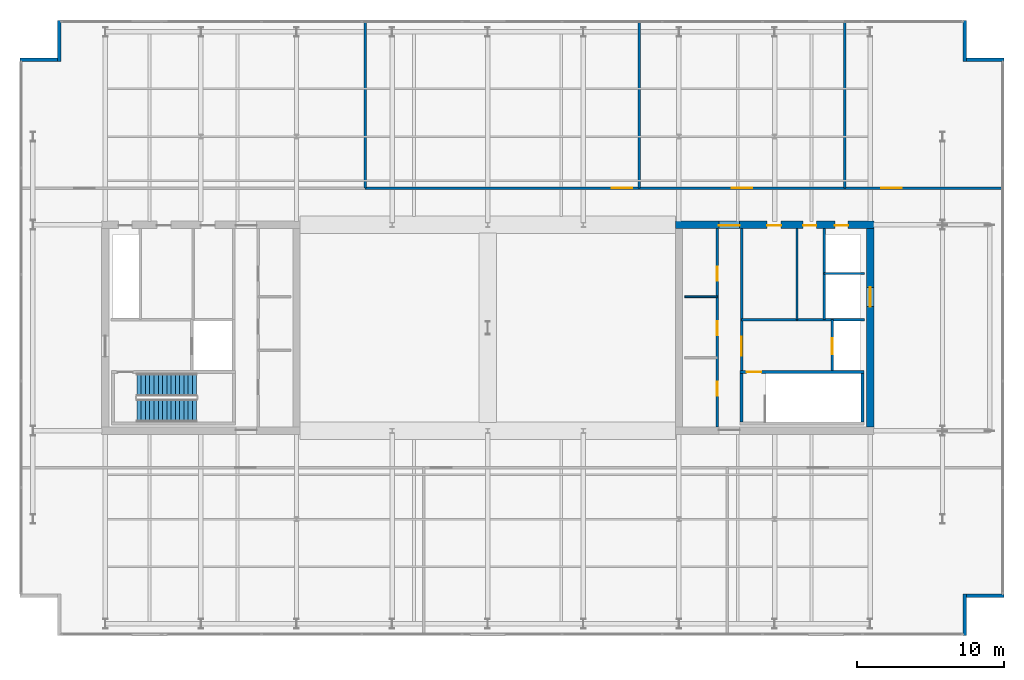
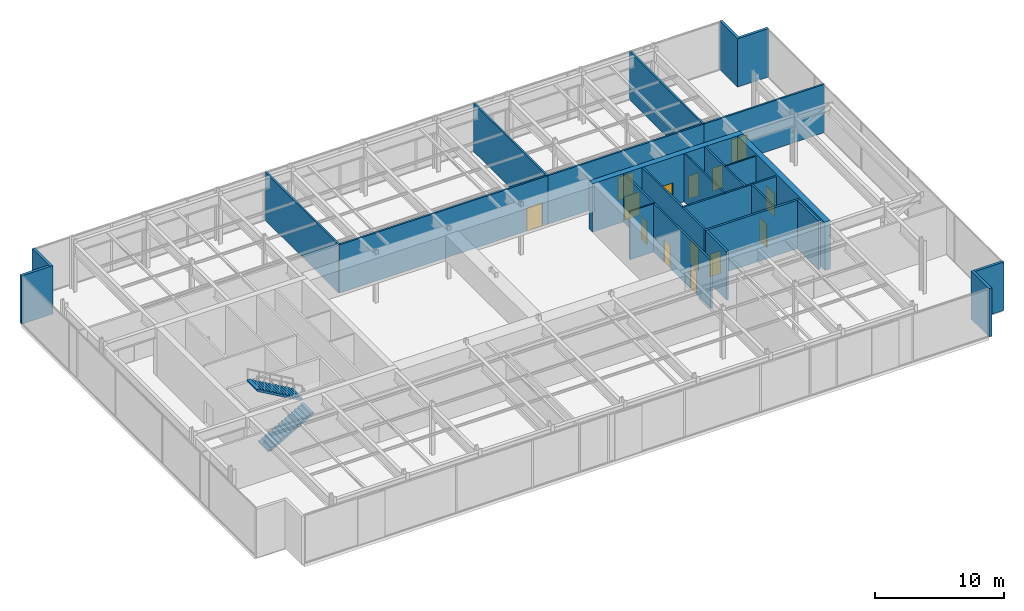
# One storey, part 19 of 21: 25 walls, 14 doors, 2 stair flights, 14 openings, 1 element without a shape of its own.
"""IFC4 building model written with IfcOpenShell, lengths in metres."""

from ifc_helpers import new_model, si_unit, direction, frame, frame_2d, origin, place, context, subcontext, project, spatial, polyline, rectangle, outline, extrude, material, layer, layer_set, type_object, element, fill, aggregate, save


model = new_model("IFC4")

# Units and contexts
model_context = context("Model", 3, precision=1e-05, world=origin(), true_north=direction((0.0, 1.0)))
body_context = subcontext(model_context, "Body", "Model", "MODEL_VIEW")
ifc_project = project(units=[si_unit("LENGTHUNIT", "METRE"), si_unit("AREAUNIT", "SQUARE_METRE"), si_unit("VOLUMEUNIT", "CUBIC_METRE"), si_unit("PLANEANGLEUNIT", "RADIAN"), si_unit("MASSUNIT", "GRAM", prefix="KILO")], contexts=[model_context])

# Site, building, storey
site_placement = place(None, origin())
site = spatial("IfcSite", under=ifc_project, at=site_placement, CompositionType="ELEMENT")
building_placement = place(site_placement, origin())
building = spatial("IfcBuilding", under=site, at=building_placement, Name="Putna Gate Headquarters", CompositionType="ELEMENT")
storey_placement = place(building_placement, frame((0.0, 0.0, 315.39990234375)))
storey = spatial("IfcBuildingStorey", under=building, at=storey_placement, Name="L79", CompositionType="ELEMENT", Elevation=315.39990234375)

# Wall, openings, doors
ifc_material_1 = material(Name="Concrete C50/60", Category="concrete")
ifc_layer_1 = layer(ifc_material_1, 0.5)
ifc_layer_set_1 = layer_set([ifc_layer_1], Name="Concrete C50/60")
wall_type_1 = type_object("IfcWallType", Name="WALL-CORE-500", PredefinedType="SHEAR", material=ifc_layer_set_1)
wall_1_placement = place(storey_placement, frame((51.75, 33.0, 0.0), z_axis=(0.0, 0.0, 1.0), x_axis=(1.0, 0.0, 0.0)))
wall_1 = element("IfcWall", 1, at=wall_1_placement, inside=storey, type_object=wall_type_1, Name="L79 EC Split Core Shear Wall N", PredefinedType="SHEAR", context=body_context, shape_type="SweptSolid", body=[
    extrude(rectangle(XDim=13.5, YDim=0.5, at=frame_2d((6.75, 0.0))), origin(), (0.0, 0.0, 1.0), 4.580078125),
])
opening_1_placement = place(wall_1_placement, frame((2.969970703125, 0.0, 0.0)))
opening_1 = element("IfcOpeningElement", 2, at=opening_1_placement, cuts=wall_1, Name="Opening FDD-140", PredefinedType="OPENING", context=body_context, shape_type="SweptSolid", body=[
    extrude(rectangle(XDim=1.39990234375, YDim=2.199951171875, at=frame_2d((0.699951171875, 1.10009765625))), frame((0.0, 0.260009765625, 0.0), z_axis=(0.0, -1.0, 0.0), x_axis=(1.0, 0.0, 0.0)), (0.0, 0.0, 1.0), 0.52001953125),
])
opening_2_placement = place(wall_1_placement, frame((10.85009765625, 0.0, 0.0)))
opening_2 = element("IfcOpeningElement", 3, at=opening_2_placement, cuts=wall_1, Name="Opening RD-90", PredefinedType="OPENING", context=body_context, shape_type="SweptSolid", body=[
    extrude(rectangle(XDim=0.89990234375, YDim=2.14990234375, at=frame_2d((0.449951171875, 1.074951171875))), frame((0.0, 0.260009765625, 0.0), z_axis=(0.0, -1.0, 0.0), x_axis=(1.0, 0.0, 0.0)), (0.0, 0.0, 1.0), 0.52001953125),
])
opening_3_placement = place(wall_1_placement, frame((6.25, 0.0, 0.0)))
opening_3 = element("IfcOpeningElement", 4, at=opening_3_placement, cuts=wall_1, Name="Opening IDS-95", PredefinedType="OPENING", context=body_context, shape_type="SweptSolid", body=[
    extrude(rectangle(XDim=0.949951171875, YDim=2.14990234375, at=frame_2d((0.47509765625, 1.074951171875))), frame((0.0, 0.260009765625, 0.0), z_axis=(0.0, -1.0, 0.0), x_axis=(1.0, 0.0, 0.0)), (0.0, 0.0, 1.0), 0.52001953125),
])
opening_4_placement = place(wall_1_placement, frame((8.699951171875, 0.0, 0.0)))
opening_4 = element("IfcOpeningElement", 5, at=opening_4_placement, cuts=wall_1, Name="Opening IDS-90", PredefinedType="OPENING", context=body_context, shape_type="SweptSolid", body=[
    extrude(rectangle(XDim=0.89990234375, YDim=2.14990234375, at=frame_2d((0.449951171875, 1.074951171875))), frame((0.0, 0.260009765625, 0.0), z_axis=(0.0, -1.0, 0.0), x_axis=(1.0, 0.0, 0.0)), (0.0, 0.0, 1.0), 0.52001953125),
])
ifc_material_2 = material(Name="Double steel fire door", Category="steel")
door_type_1 = type_object("IfcDoorType", Name="DOOR-FIRE-DBL-1400", OperationType="DOUBLE_DOOR_SINGLE_SWING", PredefinedType="DOOR", material=ifc_material_2)
door_1_placement = place(opening_1_placement, origin())
door_1 = element("IfcDoor", 6, at=door_1_placement, inside=storey, type_object=door_type_1, Name="L79 East Lift Lobby North Door", OperationType="DOUBLE_DOOR_SINGLE_SWING", OverallHeight=2.199951171875, OverallWidth=1.39990234375, PredefinedType="DOOR", context=body_context, shape_type="SweptSolid", body=[
    extrude(rectangle(XDim=1.39990234375, YDim=2.199951171875, at=frame_2d((0.699951171875, 1.10009765625))), frame((0.0, -0.02490234375, 0.0), z_axis=(0.0, -1.0, 0.0), x_axis=(1.0, 0.0, 0.0)), (0.0, 0.0, 1.0), 0.050048828125),
])
fill(opening_1, door_1)
ifc_material_3 = material(Name="Fire-rated utility door")
door_type_2 = type_object("IfcDoorType", Name="DOOR-INT-900", OperationType="NOTDEFINED", PredefinedType="DOOR", material=ifc_material_3)
door_2_placement = place(opening_4_placement, origin())
door_2 = element("IfcDoor", 7, at=door_2_placement, inside=storey, type_object=door_type_2, Name="L79 Electrical Plant Door", OperationType="SINGLE_SWING_LEFT", OverallHeight=2.14990234375, OverallWidth=0.89990234375, PredefinedType="DOOR", context=body_context, shape_type="SweptSolid", body=[
    extrude(rectangle(XDim=0.89990234375, YDim=2.14990234375, at=frame_2d((0.449951171875, 1.074951171875))), frame((0.0, -0.02490234375, 0.0), z_axis=(0.0, -1.0, 0.0), x_axis=(1.0, 0.0, 0.0)), (0.0, 0.0, 1.0), 0.050048828125),
])
fill(opening_4, door_2)
ifc_material_4 = material(Name="Fire-rated service timber door", Category="wood")
door_type_3 = type_object("IfcDoorType", Name="DOOR-INT-950", OperationType="NOTDEFINED", PredefinedType="DOOR", material=ifc_material_4)
door_3_placement = place(opening_3_placement, origin())
door_3 = element("IfcDoor", 8, at=door_3_placement, inside=storey, type_object=door_type_3, Name="L79 East Store Door", OperationType="SINGLE_SWING_RIGHT", OverallHeight=2.14990234375, OverallWidth=0.949951171875, PredefinedType="DOOR", context=body_context, shape_type="SweptSolid", body=[
    extrude(rectangle(XDim=0.949951171875, YDim=2.14990234375, at=frame_2d((0.47509765625, 1.074951171875))), frame((0.0, -0.02490234375, 0.0), z_axis=(0.0, -1.0, 0.0), x_axis=(1.0, 0.0, 0.0)), (0.0, 0.0, 1.0), 0.050048828125),
])
fill(opening_3, door_3)
ifc_material_5 = material(Name="Steel riser access fire door", Category="steel")
door_type_4 = type_object("IfcDoorType", Name="DOOR-RISER-900", OperationType="NOTDEFINED", PredefinedType="DOOR", material=ifc_material_5)
door_4_placement = place(opening_2_placement, origin())
door_4 = element("IfcDoor", 9, at=door_4_placement, inside=storey, type_object=door_type_4, Name="L79 East Riser Access Door", OperationType="SINGLE_SWING_LEFT", OverallHeight=2.14990234375, OverallWidth=0.89990234375, PredefinedType="DOOR", context=body_context, shape_type="SweptSolid", body=[
    extrude(rectangle(XDim=0.89990234375, YDim=2.14990234375, at=frame_2d((0.449951171875, 1.074951171875))), frame((0.0, -0.02490234375, 0.0), z_axis=(0.0, -1.0, 0.0), x_axis=(1.0, 0.0, 0.0)), (0.0, 0.0, 1.0), 0.050048828125),
])
fill(opening_2, door_4)

# Wall, opening, door
wall_2_placement = place(storey_placement, frame((65.0, 19.25, 0.0), z_axis=(0.0, 0.0, 1.0), x_axis=(0.0, 1.0, 0.0)))
wall_2 = element("IfcWall", 10, at=wall_2_placement, inside=storey, type_object=wall_type_1, Name="L79 EC Split Core Shear Wall E", PredefinedType="SHEAR", context=body_context, shape_type="SweptSolid", body=[
    extrude(rectangle(XDim=13.5, YDim=0.5, at=frame_2d((6.75, 0.0))), origin(), (0.0, 0.0, 1.0), 4.580078125),
])
opening_5_placement = place(wall_2_placement, frame((8.199951171875, 0.0, 0.0)))
opening_5 = element("IfcOpeningElement", 11, at=opening_5_placement, cuts=wall_2, Name="Opening LD-2", PredefinedType="OPENING", context=body_context, shape_type="SweptSolid", body=[
    extrude(rectangle(XDim=1.300048828125, YDim=2.199951171875, at=frame_2d((0.64990234375, 1.10009765625))), frame((0.0, 0.260009765625, 0.0), z_axis=(0.0, -1.0, 0.0), x_axis=(1.0, 0.0, 0.0)), (0.0, 0.0, 1.0), 0.52001953125),
])
ifc_material_6 = material(Name="Heavy-duty goods lift sliding landing door")
door_type_5 = type_object("IfcDoorType", Name="DOOR-LIFT-1300", OperationType="DOUBLE_DOOR_SLIDING", PredefinedType="DOOR", material=ifc_material_6)
door_5_placement = place(opening_5_placement, origin())
door_5 = element("IfcDoor", 12, at=door_5_placement, inside=storey, type_object=door_type_5, Name="L79 Goods Lift Landing Door LD-15", OperationType="DOUBLE_DOOR_SLIDING", OverallHeight=2.199951171875, OverallWidth=1.300048828125, PredefinedType="DOOR", context=body_context, shape_type="SweptSolid", body=[
    extrude(rectangle(XDim=1.300048828125, YDim=2.199951171875, at=frame_2d((0.64990234375, 1.10009765625))), frame((0.0, 0.02490234375, 0.0), z_axis=(0.0, -1.0, 0.0), x_axis=(1.0, 0.0, 0.0)), (0.0, 0.0, 1.0), 0.050048828125),
])
fill(opening_5, door_5)

# Walls
ifc_material_7 = material(Name="Precast concrete C40/50", Category="concrete")
ifc_layer_2 = layer(ifc_material_7, 0.239990234375)
ifc_layer_set_2 = layer_set([ifc_layer_2], Name="Precast concrete C40/50")
wall_type_2 = type_object("IfcWallType", Name="WALL-EXT-TERR-240", PredefinedType="STANDARD", material=ifc_layer_set_2)
wall_3_placement = place(storey_placement, frame((9.8798828125, 44.10009765625, 0.0), z_axis=(0.0, 0.0, 1.0), x_axis=(0.0, 1.0, 0.0)))
element("IfcWall", 13, at=wall_3_placement, inside=storey, type_object=wall_type_2, Name="L79 Corner Notch Return Wall NW-V", PredefinedType="STANDARD", context=body_context, shape_type="SweptSolid", body=[
    extrude(rectangle(XDim=2.7998046875, YDim=0.239990234375, at=frame_2d((1.39990234375, 0.0))), origin(), (0.0, 0.0, 1.0), 4.580078125),
])
wall_4_placement = place(storey_placement, frame((7.199951171875, 44.219970703125, 0.0), z_axis=(0.0, 0.0, 1.0), x_axis=(1.0, 0.0, 0.0)))
element("IfcWall", 14, at=wall_4_placement, inside=storey, type_object=wall_type_2, Name="L79 Corner Notch Return Wall NW-H", PredefinedType="STANDARD", context=body_context, shape_type="SweptSolid", body=[
    extrude(rectangle(XDim=2.800048828125, YDim=0.239990234375, at=frame_2d((1.39990234375, 0.0))), origin(), (0.0, 0.0, 1.0), 4.580078125),
])
wall_5_placement = place(storey_placement, frame((71.419921875, 46.89990234375, 0.0), z_axis=(0.0, 0.0, 1.0), x_axis=(0.0, -1.0, 0.0)))
element("IfcWall", 15, at=wall_5_placement, inside=storey, type_object=wall_type_2, Name="L79 Corner Notch Return Wall NE-V", PredefinedType="STANDARD", context=body_context, shape_type="SweptSolid", body=[
    extrude(rectangle(XDim=2.7998046875, YDim=0.239990234375, at=frame_2d((1.39990234375, 0.0))), origin(), (0.0, 0.0, 1.0), 4.580078125),
])
wall_6_placement = place(storey_placement, frame((71.300048828125, 44.219970703125, 0.0), z_axis=(0.0, 0.0, 1.0), x_axis=(1.0, 0.0, 0.0)))
element("IfcWall", 16, at=wall_6_placement, inside=storey, type_object=wall_type_2, Name="L79 Corner Notch Return Wall NE-H", PredefinedType="STANDARD", context=body_context, shape_type="SweptSolid", body=[
    extrude(rectangle(XDim=2.800048828125, YDim=0.239990234375, at=frame_2d((1.39990234375, 0.0))), origin(), (0.0, 0.0, 1.0), 4.580078125),
])
wall_7_placement = place(storey_placement, frame((71.419921875, 7.89990234375, 0.0), z_axis=(0.0, 0.0, 1.0), x_axis=(0.0, -1.0, 0.0)))
element("IfcWall", 17, at=wall_7_placement, inside=storey, type_object=wall_type_2, Name="L79 Corner Notch Return Wall SE-V", PredefinedType="STANDARD", context=body_context, shape_type="SweptSolid", body=[
    extrude(rectangle(XDim=2.7998046875, YDim=0.239990234375, at=frame_2d((1.39990234375, 0.0))), origin(), (0.0, 0.0, 1.0), 4.580078125),
])
wall_8_placement = place(storey_placement, frame((74.10009765625, 7.780029296875, 0.0), z_axis=(0.0, 0.0, 1.0), x_axis=(-1.0, 0.0, 0.0)))
element("IfcWall", 18, at=wall_8_placement, inside=storey, type_object=wall_type_2, Name="L79 Corner Notch Return Wall SE-H", PredefinedType="STANDARD", context=body_context, shape_type="SweptSolid", body=[
    extrude(rectangle(XDim=2.800048828125, YDim=0.239990234375, at=frame_2d((1.39990234375, 0.0))), origin(), (0.0, 0.0, 1.0), 4.580078125),
])
ifc_material_8 = material(Name="Fire-rated shaftwall gypsum board on metal stud")
ifc_layer_3 = layer(ifc_material_8, 0.1201171875)
ifc_layer_set_3 = layer_set([ifc_layer_3], Name="Fire-rated shaftwall gypsum board on metal stud")
wall_type_3 = type_object("IfcWallType", Name="WALL-PART-120-EI120", PredefinedType="PARTITIONING", material=ifc_layer_set_3)
wall_9_placement = place(storey_placement, frame((61.8701171875, 29.699951171875, 0.0), z_axis=(0.0, 0.0, 1.0), x_axis=(1.0, 0.0, 0.0)))
element("IfcWall", 19, at=wall_9_placement, inside=storey, type_object=wall_type_3, Name="L79 Interior Wall CWINT-L79-EC-LF15-N", PredefinedType="PARTITIONING", context=body_context, shape_type="SweptSolid", body=[
    extrude(rectangle(XDim=2.72998046875, YDim=0.1201171875, at=frame_2d((1.364990234375, 0.0))), origin(), (0.0, 0.0, 1.0), 4.580078125),
])
ifc_material_9 = material(Name="Fire-rated gypsum board on metal stud")
ifc_layer_4 = layer(ifc_material_9, 0.1201171875)
ifc_layer_set_4 = layer_set([ifc_layer_4], Name="Fire-rated gypsum board on metal stud")
wall_type_4 = type_object("IfcWallType", Name="WALL-PART-120-RATED", PredefinedType="PARTITIONING", material=ifc_layer_set_4)
wall_10_placement = place(storey_placement, frame((52.39990234375, 28.1201171875, 0.0), z_axis=(0.0, 0.0, 1.0), x_axis=(1.0, 0.0, 0.0)))
element("IfcWall", 20, at=wall_10_placement, inside=storey, type_object=wall_type_4, Name="L79 Interior Wall CWINT-L79-EC-LF08-DIV", PredefinedType="PARTITIONING", context=body_context, shape_type="SweptSolid", body=[
    extrude(rectangle(XDim=2.2001953125, YDim=0.1201171875, at=frame_2d((1.10009765625, 0.0))), origin(), (0.0, 0.0, 1.0), 4.580078125),
])
wall_11_placement = place(storey_placement, frame((60.02001953125, 26.56005859375, 0.0), z_axis=(0.0, 0.0, 1.0), x_axis=(0.0, 1.0, 0.0)))
element("IfcWall", 21, at=wall_11_placement, inside=storey, type_object=wall_type_4, Name="L79 Interior Wall CWINT-L79-EC-K0-DIV", PredefinedType="PARTITIONING", context=body_context, shape_type="SweptSolid", body=[
    extrude(rectangle(XDim=6.18994140625, YDim=0.1201171875, at=frame_2d((3.094970703125, 0.0))), origin(), (0.0, 0.0, 1.0), 4.580078125),
])

# Wall, openings, doors
ifc_material_10 = material(Name="Concrete C40/50", Category="concrete")
ifc_layer_5 = layer(ifc_material_10, 0.159912109375)
ifc_layer_set_5 = layer_set([ifc_layer_5], Name="Concrete C40/50")
wall_type_5 = type_object("IfcWallType", Name="WALL-SHAFT-160", PredefinedType="STANDARD", material=ifc_layer_set_5)
wall_12_placement = place(storey_placement, frame((54.60009765625, 19.25, 0.0), z_axis=(0.0, 0.0, 1.0), x_axis=(0.0, 1.0, 0.0)))
wall_12 = element("IfcWall", 22, at=wall_12_placement, inside=storey, type_object=wall_type_5, Name="L79 Interior Wall CWINT-L79-EC-PL-WALL", PredefinedType="STANDARD", context=body_context, shape_type="SweptSolid", body=[
    extrude(rectangle(XDim=13.5, YDim=0.159912109375, at=frame_2d((6.75, 0.0))), origin(), (0.0, 0.0, 1.0), 4.580078125),
])
opening_6_placement = place(wall_12_placement, frame((2.14990234375, 0.0, 0.0)))
opening_6 = element("IfcOpeningElement", 23, at=opening_6_placement, cuts=wall_12, Name="Opening IDS-95", PredefinedType="OPENING", context=body_context, shape_type="SweptSolid", body=[
    extrude(rectangle(XDim=0.949951171875, YDim=2.14990234375, at=frame_2d((0.47509765625, 1.074951171875))), frame((0.0, 0.08984375, 0.0), z_axis=(0.0, -1.0, 0.0), x_axis=(1.0, 0.0, 0.0)), (0.0, 0.0, 1.0), 0.179931640625),
])
opening_7_placement = place(wall_12_placement, frame((6.25, 0.0, 0.0)))
opening_7 = element("IfcOpeningElement", 24, at=opening_7_placement, cuts=wall_12, Name="Opening IDS-95", PredefinedType="OPENING", context=body_context, shape_type="SweptSolid", body=[
    extrude(rectangle(XDim=0.949951171875, YDim=2.14990234375, at=frame_2d((0.47509765625, 1.074951171875))), frame((0.0, 0.08984375, 0.0), z_axis=(0.0, -1.0, 0.0), x_axis=(1.0, 0.0, 0.0)), (0.0, 0.0, 1.0), 0.179931640625),
])
opening_8_placement = place(wall_12_placement, frame((9.949951171875, 0.0, 0.0)))
opening_8 = element("IfcOpeningElement", 25, at=opening_8_placement, cuts=wall_12, Name="Opening IDS-95F", PredefinedType="OPENING", context=body_context, shape_type="SweptSolid", body=[
    extrude(rectangle(XDim=0.949951171875, YDim=2.14990234375, at=frame_2d((0.47509765625, 1.074951171875))), frame((0.0, 0.08984375, 0.0), z_axis=(0.0, -1.0, 0.0), x_axis=(1.0, 0.0, 0.0)), (0.0, 0.0, 1.0), 0.179931640625),
])
door_6_placement = place(opening_6_placement, origin())
door_6 = element("IfcDoor", 26, at=door_6_placement, inside=storey, type_object=door_type_3, Name="L79 Executive Archive Door", OperationType="SINGLE_SWING_RIGHT", OverallHeight=2.14990234375, OverallWidth=0.949951171875, PredefinedType="DOOR", context=body_context, shape_type="SweptSolid", body=[
    extrude(rectangle(XDim=0.949951171875, YDim=2.14990234375, at=frame_2d((0.47509765625, 1.074951171875))), frame((0.0, 0.02490234375, 0.0), z_axis=(0.0, -1.0, 0.0), x_axis=(1.0, 0.0, 0.0)), (0.0, 0.0, 1.0), 0.050048828125),
])
fill(opening_6, door_6)
door_7_placement = place(opening_7_placement, origin())
door_7 = element("IfcDoor", 27, at=door_7_placement, inside=storey, type_object=door_type_3, Name="L79 Comms Distribution Door", OperationType="SINGLE_SWING_LEFT", OverallHeight=2.14990234375, OverallWidth=0.949951171875, PredefinedType="DOOR", context=body_context, shape_type="SweptSolid", body=[
    extrude(rectangle(XDim=0.949951171875, YDim=2.14990234375, at=frame_2d((0.47509765625, 1.074951171875))), frame((0.0, 0.02490234375, 0.0), z_axis=(0.0, -1.0, 0.0), x_axis=(1.0, 0.0, 0.0)), (0.0, 0.0, 1.0), 0.050048828125),
])
fill(opening_7, door_7)
ifc_material_11 = material(Name="Steel-faced fire door", Category="steel")
door_type_6 = type_object("IfcDoorType", Name="DOOR-INT-950-EI90", OperationType="NOTDEFINED", PredefinedType="DOOR", material=ifc_material_11)
door_8_placement = place(opening_8_placement, origin())
door_8 = element("IfcDoor", 28, at=door_8_placement, inside=storey, type_object=door_type_6, Name="L79 Hoistway Machinery East Door", OperationType="SINGLE_SWING_RIGHT", OverallHeight=2.14990234375, OverallWidth=0.949951171875, PredefinedType="DOOR", context=body_context, shape_type="SweptSolid", body=[
    extrude(rectangle(XDim=0.949951171875, YDim=2.14990234375, at=frame_2d((0.47509765625, 1.074951171875))), frame((0.0, 0.02490234375, 0.0), z_axis=(0.0, -1.0, 0.0), x_axis=(1.0, 0.0, 0.0)), (0.0, 0.0, 1.0), 0.050048828125),
])
fill(opening_8, door_8)

# Wall, opening, door
wall_13_placement = place(storey_placement, frame((56.260009765625, 23.090087890625, 0.0), z_axis=(0.0, 0.0, 1.0), x_axis=(0.0, 1.0, 0.0)))
wall_13 = element("IfcWall", 29, at=wall_13_placement, inside=storey, type_object=wall_type_5, Name="L79 Interior Wall CWINT-L79-EC-LOB-E", PredefinedType="STANDARD", context=body_context, shape_type="SweptSolid", body=[
    extrude(rectangle(XDim=9.659912109375, YDim=0.159912109375, at=frame_2d((4.830078125, 0.0))), origin(), (0.0, 0.0, 1.0), 4.580078125),
])
opening_9_placement = place(wall_13_placement, frame((1.010009765625, 0.0, 0.0)))
opening_9 = element("IfcOpeningElement", 30, at=opening_9_placement, cuts=wall_13, Name="Opening FDD-130", PredefinedType="OPENING", context=body_context, shape_type="SweptSolid", body=[
    extrude(rectangle(XDim=1.300048828125, YDim=2.199951171875, at=frame_2d((0.64990234375, 1.10009765625))), frame((0.0, 0.08984375, 0.0), z_axis=(0.0, -1.0, 0.0), x_axis=(1.0, 0.0, 0.0)), (0.0, 0.0, 1.0), 0.179931640625),
])
ifc_material_12 = material(Name="Double steel lobby fire door", Category="steel")
door_type_7 = type_object("IfcDoorType", Name="DOOR-FIRE-DBL-1300", OperationType="DOUBLE_DOOR_SINGLE_SWING", PredefinedType="DOOR", material=ifc_material_12)
door_9_placement = place(opening_9_placement, origin())
door_9 = element("IfcDoor", 31, at=door_9_placement, inside=storey, type_object=door_type_7, Name="L79 East Firefighting Lobby Door", OperationType="DOUBLE_DOOR_SINGLE_SWING", OverallHeight=2.199951171875, OverallWidth=1.300048828125, PredefinedType="DOOR", context=body_context, shape_type="SweptSolid", body=[
    extrude(rectangle(XDim=1.300048828125, YDim=2.199951171875, at=frame_2d((0.64990234375, 1.10009765625))), frame((0.0, 0.02490234375, 0.0), z_axis=(0.0, -1.0, 0.0), x_axis=(1.0, 0.0, 0.0)), (0.0, 0.0, 1.0), 0.050048828125),
])
fill(opening_9, door_9)

wall_14_placement = place(storey_placement, frame((62.429931640625, 23.090087890625, 0.0), z_axis=(0.0, 0.0, 1.0), x_axis=(0.0, 1.0, 0.0)))
wall_14 = element("IfcWall", 32, at=wall_14_placement, inside=storey, type_object=wall_type_5, Name="L79 Interior Wall CWINT-L79-EC-LF14-W", PredefinedType="STANDARD", context=body_context, shape_type="SweptSolid", body=[
    extrude(rectangle(XDim=3.469970703125, YDim=0.159912109375, at=frame_2d((1.73486328125, 0.0))), origin(), (0.0, 0.0, 1.0), 4.580078125),
])
opening_10_placement = place(wall_14_placement, frame((1.10009765625, 0.0, 0.0)))
opening_10 = element("IfcOpeningElement", 33, at=opening_10_placement, cuts=wall_14, Name="Opening LD-1", PredefinedType="OPENING", context=body_context, shape_type="SweptSolid", body=[
    extrude(rectangle(XDim=1.10009765625, YDim=2.199951171875, at=frame_2d((0.550048828125, 1.10009765625))), frame((0.0, 0.08984375, 0.0), z_axis=(0.0, -1.0, 0.0), x_axis=(1.0, 0.0, 0.0)), (0.0, 0.0, 1.0), 0.179931640625),
])
ifc_material_13 = material(Name="Brushed bronze stainless lift landing door")
door_type_8 = type_object("IfcDoorType", Name="DOOR-LIFT-1100", OperationType="DOUBLE_DOOR_SLIDING", PredefinedType="DOOR", material=ifc_material_13)
door_10_placement = place(opening_10_placement, origin())
door_10 = element("IfcDoor", 34, at=door_10_placement, inside=storey, type_object=door_type_8, Name="L79 Lift Landing Door LD-14", OperationType="DOUBLE_DOOR_SLIDING", OverallHeight=2.199951171875, OverallWidth=1.10009765625, PredefinedType="DOOR", context=body_context, shape_type="SweptSolid", body=[
    extrude(rectangle(XDim=1.10009765625, YDim=2.199951171875, at=frame_2d((0.550048828125, 1.10009765625))), frame((0.0, 0.02490234375, 0.0), z_axis=(0.0, -1.0, 0.0), x_axis=(1.0, 0.0, 0.0)), (0.0, 0.0, 1.0), 0.050048828125),
])
fill(opening_10, door_10)

# Walls
wall_15_placement = place(storey_placement, frame((56.260009765625, 26.56005859375, 0.0), z_axis=(0.0, 0.0, 1.0), x_axis=(1.0, 0.0, 0.0)))
element("IfcWall", 35, at=wall_15_placement, inside=storey, type_object=wall_type_5, Name="L79 Interior Wall CWINT-L79-EC-FFL-N", PredefinedType="STANDARD", context=body_context, shape_type="SweptSolid", body=[
    extrude(rectangle(XDim=8.340087890625, YDim=0.159912109375, at=frame_2d((4.169921875, 0.0))), origin(), (0.0, 0.0, 1.0), 4.580078125),
])
wall_16_placement = place(storey_placement, frame((61.8701171875, 26.56005859375, 0.0), z_axis=(0.0, 0.0, 1.0), x_axis=(0.0, 1.0, 0.0)))
element("IfcWall", 36, at=wall_16_placement, inside=storey, type_object=wall_type_5, Name="L79 Interior Wall CWINT-L79-EC-LF15-W", PredefinedType="STANDARD", context=body_context, shape_type="SweptSolid", body=[
    extrude(rectangle(XDim=6.18994140625, YDim=0.159912109375, at=frame_2d((3.094970703125, 0.0))), origin(), (0.0, 0.0, 1.0), 4.580078125),
])
for number, where, z_axis, x_axis, name in (
    (37, (30.6689453125, 35.5, 0.0), (0.0, 0.0, 1.0), (0.0, 1.0, 0.0), "L79 Interior Wall PART-L79-PN-DIV1"),
    (38, (49.30029296875, 35.5, 0.0), (0.0, 0.0, 1.0), (0.0, 1.0, 0.0), "L79 Interior Wall PART-L79-PN-DIV2"),
):
    element("IfcWall", number, at=place(storey_placement, frame(where, z_axis=z_axis, x_axis=x_axis)), inside=storey, type_object=wall_type_5, Name=name, PredefinedType="STANDARD", context=body_context, shape_type="SweptSolid", body=[
        extrude(rectangle(XDim=11.3798828125, YDim=0.159912109375, at=frame_2d((5.68994140625, 0.0))), origin(), (0.0, 0.0, 1.0), 4.580078125),
    ])

# Wall, opening, door
wall_17_placement = place(storey_placement, frame((30.6689453125, 35.5, 0.0), z_axis=(0.0, 0.0, 1.0), x_axis=(1.0, 0.0, 0.0)))
wall_17 = element("IfcWall", 39, at=wall_17_placement, inside=storey, type_object=wall_type_5, Name="L79 Interior Wall PART-L79-PN-CW2", PredefinedType="STANDARD", context=body_context, shape_type="SweptSolid", body=[
    extrude(rectangle(XDim=18.63134765625, YDim=0.159912109375, at=frame_2d((9.315673828125, 0.0))), origin(), (0.0, 0.0, 1.0), 4.580078125),
])
opening_11_placement = place(wall_17_placement, frame((16.751220703125, 0.0, 0.0)))
opening_11 = element("IfcOpeningElement", 40, at=opening_11_placement, cuts=wall_17, Name="Opening FDD-140", PredefinedType="OPENING", context=body_context, shape_type="SweptSolid", body=[
    extrude(rectangle(XDim=1.39990234375, YDim=2.199951171875, at=frame_2d((0.699951171875, 1.10009765625))), frame((0.0, 0.08984375, 0.0), z_axis=(0.0, -1.0, 0.0), x_axis=(1.0, 0.0, 0.0)), (0.0, 0.0, 1.0), 0.179931640625),
])
door_11_placement = place(opening_11_placement, origin())
door_11 = element("IfcDoor", 41, at=door_11_placement, inside=storey, type_object=door_type_1, Name="L79 Chiller and Heat Exchanger Plant Room Door", OperationType="DOUBLE_DOOR_SINGLE_SWING", OverallHeight=2.199951171875, OverallWidth=1.39990234375, PredefinedType="DOOR", context=body_context, shape_type="SweptSolid", body=[
    extrude(rectangle(XDim=1.39990234375, YDim=2.199951171875, at=frame_2d((0.699951171875, 1.10009765625))), frame((0.0, 0.02490234375, 0.0), z_axis=(0.0, -1.0, 0.0), x_axis=(1.0, 0.0, 0.0)), (0.0, 0.0, 1.0), 0.050048828125),
])
fill(opening_11, door_11)

# Wall
wall_18_placement = place(storey_placement, frame((63.273681640625, 35.5, 0.0), z_axis=(0.0, 0.0, 1.0), x_axis=(0.0, 1.0, 0.0)))
element("IfcWall", 42, at=wall_18_placement, inside=storey, type_object=wall_type_5, Name="L79 Interior Wall PART-L79-PN-DIV3", PredefinedType="STANDARD", context=body_context, shape_type="SweptSolid", body=[
    extrude(rectangle(XDim=11.3798828125, YDim=0.159912109375, at=frame_2d((5.68994140625, 0.0))), origin(), (0.0, 0.0, 1.0), 4.580078125),
])

# Wall, opening, door
wall_19_placement = place(storey_placement, frame((49.30029296875, 35.5, 0.0), z_axis=(0.0, 0.0, 1.0), x_axis=(1.0, 0.0, 0.0)))
wall_19 = element("IfcWall", 43, at=wall_19_placement, inside=storey, type_object=wall_type_5, Name="L79 Interior Wall PART-L79-PN-CW3", PredefinedType="STANDARD", context=body_context, shape_type="SweptSolid", body=[
    extrude(rectangle(XDim=13.973388671875, YDim=0.159912109375, at=frame_2d((6.98681640625, 0.0))), origin(), (0.0, 0.0, 1.0), 4.580078125),
])
opening_12_placement = place(wall_19_placement, frame((6.28662109375, 0.0, 0.0)))
opening_12 = element("IfcOpeningElement", 44, at=opening_12_placement, cuts=wall_19, Name="Opening FDD-140", PredefinedType="OPENING", context=body_context, shape_type="SweptSolid", body=[
    extrude(rectangle(XDim=1.39990234375, YDim=2.199951171875, at=frame_2d((0.699951171875, 1.10009765625))), frame((0.0, 0.08984375, 0.0), z_axis=(0.0, -1.0, 0.0), x_axis=(1.0, 0.0, 0.0)), (0.0, 0.0, 1.0), 0.179931640625),
])
door_12_placement = place(opening_12_placement, origin())
door_12 = element("IfcDoor", 45, at=door_12_placement, inside=storey, type_object=door_type_1, Name="L79 HV and LV Switchgear Plant Room Door", OperationType="DOUBLE_DOOR_SINGLE_SWING", OverallHeight=2.199951171875, OverallWidth=1.39990234375, PredefinedType="DOOR", context=body_context, shape_type="SweptSolid", body=[
    extrude(rectangle(XDim=1.39990234375, YDim=2.199951171875, at=frame_2d((0.699951171875, 1.10009765625))), frame((0.0, 0.02490234375, 0.0), z_axis=(0.0, -1.0, 0.0), x_axis=(1.0, 0.0, 0.0)), (0.0, 0.0, 1.0), 0.050048828125),
])
fill(opening_12, door_12)

wall_20_placement = place(storey_placement, frame((63.273681640625, 35.5, 0.0), z_axis=(0.0, 0.0, 1.0), x_axis=(1.0, 0.0, 0.0)))
wall_20 = element("IfcWall", 46, at=wall_20_placement, inside=storey, type_object=wall_type_5, Name="L79 Interior Wall PART-L79-PN-CW4", PredefinedType="STANDARD", context=body_context, shape_type="SweptSolid", body=[
    extrude(rectangle(XDim=10.806396484375, YDim=0.159912109375, at=frame_2d((5.4033203125, 0.0))), origin(), (0.0, 0.0, 1.0), 4.580078125),
])
opening_13_placement = place(wall_20_placement, frame((2.482421875, 0.0, 0.0)))
opening_13 = element("IfcOpeningElement", 47, at=opening_13_placement, cuts=wall_20, Name="Opening FDD-140", PredefinedType="OPENING", context=body_context, shape_type="SweptSolid", body=[
    extrude(rectangle(XDim=1.39990234375, YDim=2.199951171875, at=frame_2d((0.699951171875, 1.10009765625))), frame((0.0, 0.08984375, 0.0), z_axis=(0.0, -1.0, 0.0), x_axis=(1.0, 0.0, 0.0)), (0.0, 0.0, 1.0), 0.179931640625),
])
door_13_placement = place(opening_13_placement, origin())
door_13 = element("IfcDoor", 48, at=door_13_placement, inside=storey, type_object=door_type_1, Name="L79 BMS and Telecoms Control Plant Room Door", OperationType="DOUBLE_DOOR_SINGLE_SWING", OverallHeight=2.199951171875, OverallWidth=1.39990234375, PredefinedType="DOOR", context=body_context, shape_type="SweptSolid", body=[
    extrude(rectangle(XDim=1.39990234375, YDim=2.199951171875, at=frame_2d((0.699951171875, 1.10009765625))), frame((0.0, 0.02490234375, 0.0), z_axis=(0.0, -1.0, 0.0), x_axis=(1.0, 0.0, 0.0)), (0.0, 0.0, 1.0), 0.050048828125),
])
fill(opening_13, door_13)

ifc_layer_6 = layer(ifc_material_10, 0.199951171875)
ifc_layer_set_6 = layer_set([ifc_layer_6], Name="Concrete C40/50")
wall_type_6 = type_object("IfcWallType", Name="WALL-SHAFT-RC200", PredefinedType="SHEAR", material=ifc_layer_set_6)
wall_21_placement = place(storey_placement, frame((56.159912109375, 22.989990234375, 0.0), z_axis=(0.0, 0.0, 1.0), x_axis=(1.0, 0.0, 0.0)))
wall_21 = element("IfcWall", 49, at=wall_21_placement, inside=storey, type_object=wall_type_6, Name="L79 Stair ST2 Structural Shaft Wall N", PredefinedType="SHEAR", context=body_context, shape_type="SweptSolid", body=[
    extrude(rectangle(XDim=8.43017578125, YDim=0.199951171875, at=frame_2d((4.215087890625, 0.0))), origin(), (0.0, 0.0, 1.0), 4.580078125),
])
opening_14_placement = place(wall_21_placement, frame((0.449951171875, 0.0, 0.0)))
opening_14 = element("IfcOpeningElement", 50, at=opening_14_placement, cuts=wall_21, Name="Opening FD-100", PredefinedType="OPENING", context=body_context, shape_type="SweptSolid", body=[
    extrude(rectangle(XDim=1.0, YDim=2.14990234375, at=frame_2d((0.5, 1.074951171875))), frame((0.0, 0.10986328125, 0.0), z_axis=(0.0, -1.0, 0.0), x_axis=(1.0, 0.0, 0.0)), (0.0, 0.0, 1.0), 0.219970703125),
])
ifc_material_14 = material(Name="Powder-coated steel fire door", Category="steel")
door_type_9 = type_object("IfcDoorType", Name="DOOR-FIRE-1000", OperationType="NOTDEFINED", PredefinedType="DOOR", material=ifc_material_14)
door_14_placement = place(opening_14_placement, origin())
door_14 = element("IfcDoor", 51, at=door_14_placement, inside=storey, type_object=door_type_9, Name="L79 Stair ST2 Fire Door", OperationType="SINGLE_SWING_RIGHT", OverallHeight=2.14990234375, OverallWidth=1.0, PredefinedType="DOOR", context=body_context, shape_type="SweptSolid", body=[
    extrude(rectangle(XDim=1.0, YDim=2.14990234375, at=frame_2d((0.5, 1.074951171875))), frame((0.0, 0.02490234375, 0.0), z_axis=(0.0, -1.0, 0.0), x_axis=(1.0, 0.0, 0.0)), (0.0, 0.0, 1.0), 0.050048828125),
])
fill(opening_14, door_14)

# Walls
for number, where, z_axis, x_axis, name in (
    (52, (56.260009765625, 19.610107421875, 0.0), (0.0, 0.0, 1.0), (0.0, 1.0, 0.0), "L79 Stair ST2 Structural Shaft Wall W"),
    (53, (64.489990234375, 19.610107421875, 0.0), (0.0, 0.0, 1.0), (0.0, 1.0, 0.0), "L79 Stair ST2 Structural Shaft Wall E"),
):
    element("IfcWall", number, at=place(storey_placement, frame(where, z_axis=z_axis, x_axis=x_axis)), inside=storey, type_object=wall_type_6, Name=name, PredefinedType="SHEAR", context=body_context, shape_type="SweptSolid", body=[
        extrude(rectangle(XDim=3.27978515625, YDim=0.199951171875, at=frame_2d((1.639892578125, 0.0))), origin(), (0.0, 0.0, 1.0), 4.580078125),
    ])

# Stair, stair flights
stair_type = type_object("IfcStairType", Name="STAIR-ST1", PredefinedType="HALF_TURN_STAIR", material=ifc_material_10)
stair_placement = place(storey_placement, origin())
stair = element("IfcStair", 54, at=stair_placement, inside=storey, type_object=stair_type, Name="L79 West Core Exit Stair ST1", PredefinedType="HALF_TURN_STAIR")
stair_flight_type = type_object("IfcStairFlightType", Name="FLIGHT-ST1", PredefinedType="STRAIGHT", material=ifc_material_10)
stair_flight_1_placement = place(storey_placement, frame((15.14990234375, 20.375, 0.0), z_axis=(0.0, 0.0, 1.0), x_axis=(1.0, 0.0, 0.0)))
stair_flight_1 = element("IfcStairFlight", 55, at=stair_flight_1_placement, type_object=stair_flight_type, Name="ST1 flight 1", NumberOfRisers=15, NumberOfTreads=14, PredefinedType="STRAIGHT", RiserHeight=0.166666667, TreadLength=0.29, context=body_context, shape_type="SweptSolid", body=[
    extrude(outline(polyline([(0.0, 0.0), (0.0, 0.166748046875), (0.2900390625, 0.166748046875), (0.2900390625, 0.333251953125), (0.580078125, 0.333251953125), (0.580078125, 0.5), (0.8701171875, 0.5), (0.8701171875, 0.666748046875), (1.159912109375, 0.666748046875), (1.159912109375, 0.833251953125), (1.449951171875, 0.833251953125), (1.449951171875, 1.0), (1.739990234375, 1.0), (1.739990234375, 1.166748046875), (2.030029296875, 1.166748046875), (2.030029296875, 1.333251953125), (2.320068359375, 1.333251953125), (2.320068359375, 1.5), (2.610107421875, 1.5), (2.610107421875, 1.666748046875), (2.89990234375, 1.666748046875), (2.89990234375, 1.833251953125), (3.18994140625, 1.833251953125), (3.18994140625, 2.0), (3.47998046875, 2.0), (3.47998046875, 2.166748046875), (3.77001953125, 2.166748046875), (3.77001953125, 2.333251953125), (4.06005859375, 2.333251953125), (4.06005859375, 2.5), (4.06005859375, 2.160400390625), (0.30078125, 0.0), (0.0, 0.0)])), frame((0.0, 0.77490234375, 0.0), z_axis=(0.0, -1.0, 0.0), x_axis=(1.0, 0.0, 0.0)), (0.0, 0.0, 1.0), 1.550048828125),
])
stair_flight_2_placement = place(storey_placement, frame((19.2099609375, 22.125, 2.5), z_axis=(0.0, 0.0, 1.0), x_axis=(-1.0, 0.0, 0.0)))
stair_flight_2 = element("IfcStairFlight", 56, at=stair_flight_2_placement, type_object=stair_flight_type, Name="ST1 flight 2", NumberOfRisers=15, NumberOfTreads=14, PredefinedType="STRAIGHT", RiserHeight=0.166666667, TreadLength=0.29, context=body_context, shape_type="SweptSolid", body=[
    extrude(outline(polyline([(0.0, 0.0), (0.0, 0.166748046875), (0.2900390625, 0.166748046875), (0.2900390625, 0.333251953125), (0.580078125, 0.333251953125), (0.580078125, 0.5), (0.8701171875, 0.5), (0.8701171875, 0.666748046875), (1.159912109375, 0.666748046875), (1.159912109375, 0.833251953125), (1.449951171875, 0.833251953125), (1.449951171875, 1.0), (1.739990234375, 1.0), (1.739990234375, 1.166748046875), (2.030029296875, 1.166748046875), (2.030029296875, 1.333251953125), (2.320068359375, 1.333251953125), (2.320068359375, 1.5), (2.610107421875, 1.5), (2.610107421875, 1.666748046875), (2.89990234375, 1.666748046875), (2.89990234375, 1.833251953125), (3.18994140625, 1.833251953125), (3.18994140625, 2.0), (3.47998046875, 2.0), (3.47998046875, 2.166748046875), (3.77001953125, 2.166748046875), (3.77001953125, 2.333251953125), (4.06005859375, 2.333251953125), (4.06005859375, 2.5), (4.06005859375, 2.160400390625), (0.30078125, 0.0), (0.0, 0.0)])), frame((0.0, 0.77490234375, 0.0), z_axis=(0.0, -1.0, 0.0), x_axis=(1.0, 0.0, 0.0)), (0.0, 0.0, 1.0), 1.550048828125),
])
aggregate(stair, [stair_flight_1, stair_flight_2])

save(model, "model.ifc")
